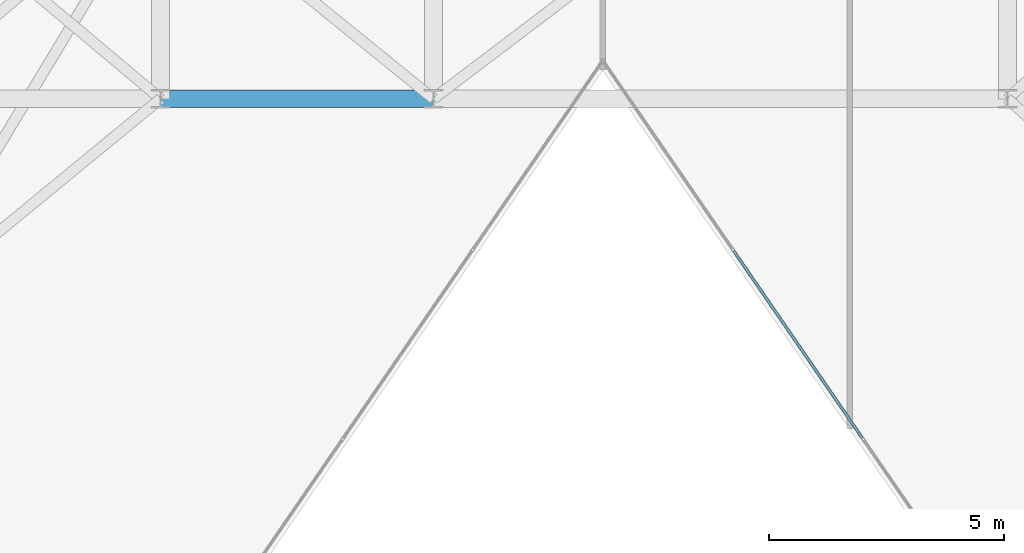
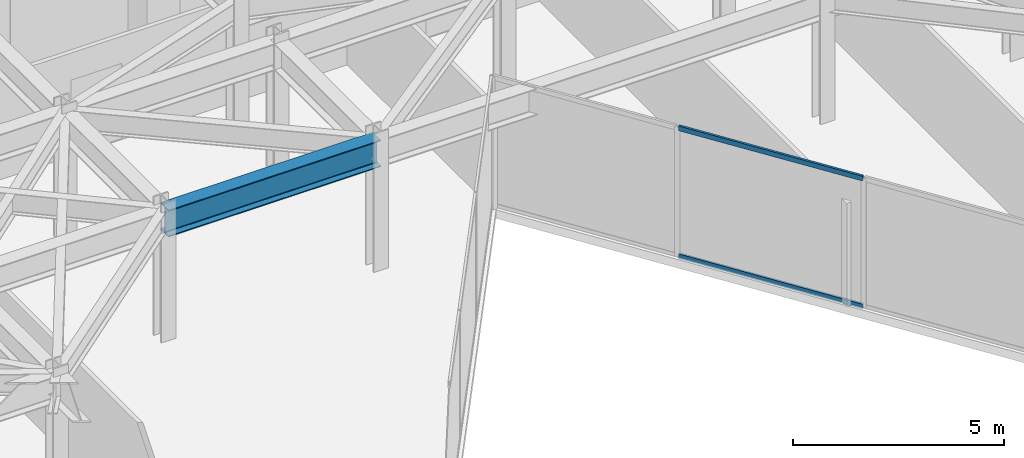
# One storey, part 7 of 27: 2 members, 1 beam, 1 element without a shape of its own.
"""IFC4 building model written with IfcOpenShell, lengths in metres."""

from ifc_helpers import new_model, si_unit, direction, frame, origin, origin_2d, place, context, subcontext, project, spatial, hollow_rectangle, i_section, extrude, material, layer, layer_set, material_profile, profile_set, type_object, element, aggregate, save


model = new_model("IFC4")

# Units and contexts
model_context = context("Model", 3, precision=1e-05, world=origin(), true_north=direction((0.0, 1.0)))
body_context = subcontext(model_context, "Body", "Model", "MODEL_VIEW")
ifc_project = project(units=[si_unit("LENGTHUNIT", "METRE"), si_unit("AREAUNIT", "SQUARE_METRE"), si_unit("VOLUMEUNIT", "CUBIC_METRE"), si_unit("PLANEANGLEUNIT", "RADIAN"), si_unit("MASSUNIT", "GRAM", prefix="KILO")], contexts=[model_context])

# Site, building, storey
site_placement = place(None, origin())
site = spatial("IfcSite", under=ifc_project, at=site_placement, CompositionType="ELEMENT")
building_placement = place(site_placement, origin())
building = spatial("IfcBuilding", under=site, at=building_placement, Name="Kravanh Interchange Tower", CompositionType="ELEMENT")
storey_placement = place(building_placement, frame((0.0, 0.0, 196.5)))
storey = spatial("IfcBuildingStorey", under=building, at=storey_placement, Name="L47", CompositionType="ELEMENT", Elevation=196.5)

# Curtain wall, members
ifc_material_1 = material(Name="Anodised Bronze Aluminium", Category="aluminium")
ifc_layer = layer(ifc_material_1, 0.179931640625)
ifc_layer_set = layer_set([ifc_layer], Name="Unitised Curtain Wall System CW-Z3 Upper Office")
curtain_wall_type = type_object("IfcCurtainWallType", Name="Unitised Curtain Wall System CW-Z3 Upper Office", PredefinedType="NOTDEFINED", material=ifc_layer_set)
curtain_wall_placement = place(storey_placement, origin())
curtain_wall = element("IfcCurtainWall", 1, at=curtain_wall_placement, inside=storey, type_object=curtain_wall_type, Name="L47 Unitised Curtain Wall CW-L47-04", PredefinedType="NOTDEFINED")
ifc_material_2 = material(Name="Anodised Bronze Aluminium", Category="aluminium")
ifc_material_profile_1 = material_profile(ifc_material_2, hollow_rectangle(XDim=0.06005859375, YDim=0.139892578125, WallThickness=0.00390625, at=origin_2d()), Name="ALU60X140X4")
ifc_profile_set_1 = profile_set([ifc_material_profile_1], Name="Anodised Bronze Aluminium")
member_type = type_object("IfcMemberType", Name="Curtain Wall Transom ALU60X140X4 Bronze", PredefinedType="USERDEFINED", material=ifc_profile_set_1)
member_1_placement = place(storey_placement, frame((47.714599609375, 19.590576171875, 0.030029296875), z_axis=(-0.566537417683, 0.824036015211, 0.0), x_axis=(-0.824036015211, -0.566537417683, 0.0)))
member_1 = element("IfcMember", 2, at=member_1_placement, type_object=member_type, Name="CW-Z3 transom 3.1", ObjectType="TRANSOM", PredefinedType="USERDEFINED", context=body_context, shape_type="SweptSolid", body=[
    extrude(hollow_rectangle(XDim=0.06005859375, YDim=0.139892578125, WallThickness=0.00390625, at=origin_2d()), origin(), (0.0, 0.0, 1.0), 4.822265625),
])
member_2_placement = place(storey_placement, frame((47.714599609375, 19.590576171875, 3.72509765625), z_axis=(-0.566537417683, 0.824036015211, 0.0), x_axis=(-0.824036015211, -0.566537417683, 0.0)))
member_2 = element("IfcMember", 3, at=member_2_placement, type_object=member_type, Name="CW-Z3 transom 3.2", ObjectType="TRANSOM", PredefinedType="USERDEFINED", context=body_context, shape_type="SweptSolid", body=[
    extrude(hollow_rectangle(XDim=0.06005859375, YDim=0.139892578125, WallThickness=0.00390625, at=origin_2d()), origin(), (0.0, 0.0, 1.0), 4.822265625),
])
aggregate(curtain_wall, [member_1, member_2])

# Beam
ifc_material_3 = material(Name="Structural Steel S355", Category="steel")
ifc_material_profile_2 = material_profile(ifc_material_3, i_section(OverallWidth=0.381103515625, OverallDepth=0.77294921875, WebThickness=0.0166015625, FlangeThickness=0.027099609375, FilletRadius=0.02490234375, at=origin_2d()), Name="W30X173")
ifc_profile_set_2 = profile_set([ifc_material_profile_2], Name="Structural Steel S355")
beam_type = type_object("IfcBeamType", Name="Floor Beam W30X173 Structural Steel S355", PredefinedType="BEAM", material=ifc_profile_set_2)
beam_placement = place(storey_placement, frame((32.800048828125, 26.800048828125, 3.368408203125), z_axis=(1.0, 0.0, 0.0), x_axis=(0.0, 1.0, 0.0)))
element("IfcBeam", 4, at=beam_placement, inside=storey, type_object=beam_type, Name="L47 Primary Floor Girder 42", PredefinedType="BEAM", context=body_context, shape_type="SweptSolid", body=[
    extrude(i_section(OverallWidth=0.381103515625, OverallDepth=0.77294921875, WebThickness=0.0166015625, FlangeThickness=0.027099609375, FilletRadius=0.02490234375, at=origin_2d()), origin(), (0.0, 0.0, 1.0), 5.800048828125),
])

save(model, "model.ifc")
